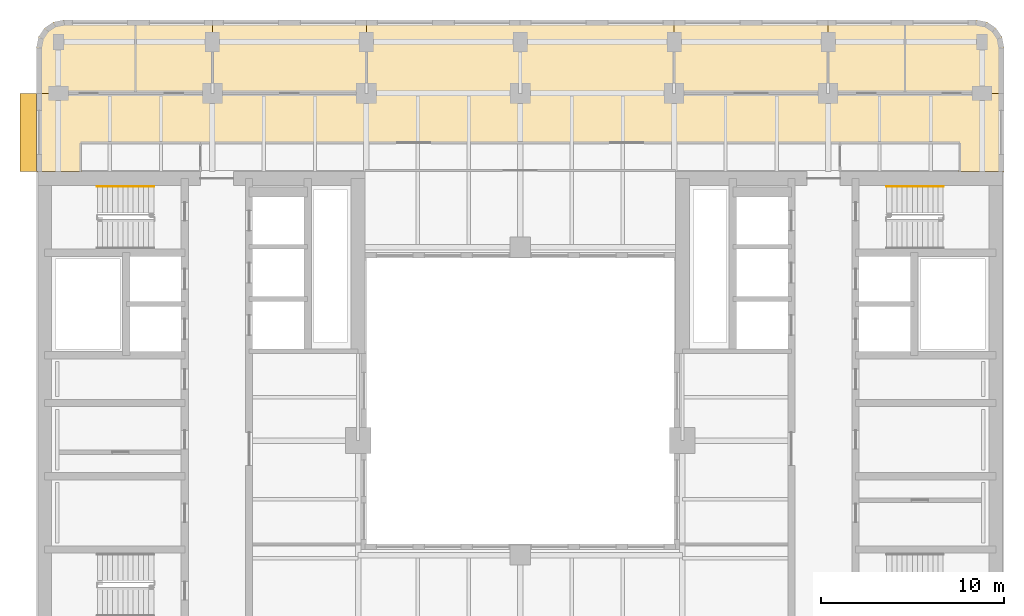
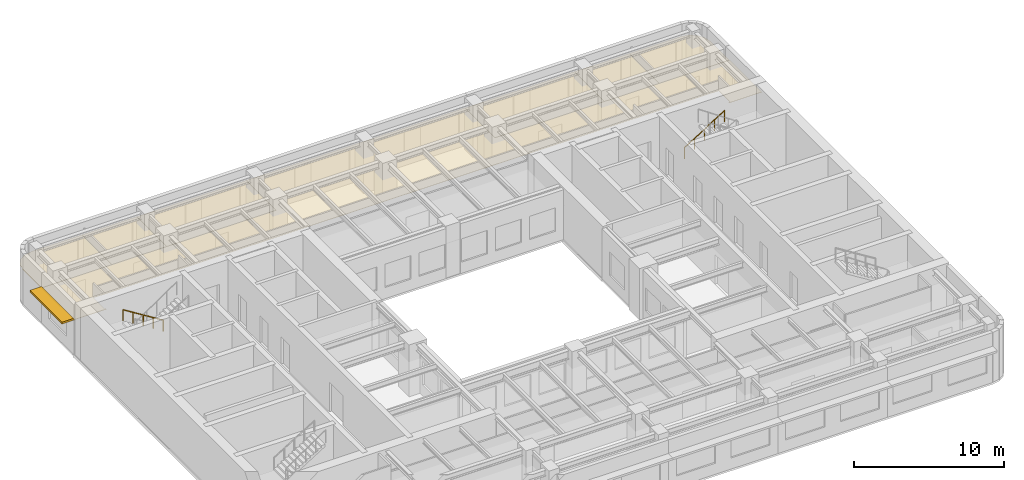
# One storey, part 11 of 11: 7 coverings, 2 railings, 1 shading device.
"""IFC4 building model written with IfcOpenShell, lengths in metres."""

from ifc_helpers import new_model, si_unit, direction, frame, origin, origin_2d, place, context, subcontext, project, spatial, polyline, rectangle, circle, outline, extrude, material, layer, layer_set, type_object, element, save


model = new_model("IFC4")

# Units and contexts
model_context = context("Model", 3, precision=1e-05, world=origin(), true_north=direction((0.0, 1.0)))
body_context = subcontext(model_context, "Body", "Model", "MODEL_VIEW")
ifc_project = project(units=[si_unit("LENGTHUNIT", "METRE"), si_unit("AREAUNIT", "SQUARE_METRE"), si_unit("VOLUMEUNIT", "CUBIC_METRE"), si_unit("PLANEANGLEUNIT", "RADIAN"), si_unit("MASSUNIT", "GRAM", prefix="KILO")], contexts=[model_context])

# Site, building, storey
site_placement = place(None, origin())
site = spatial("IfcSite", under=ifc_project, at=site_placement, CompositionType="ELEMENT")
building_placement = place(site_placement, origin())
building = spatial("IfcBuilding", under=site, at=building_placement, Name="Claustro Exchange Tower", CompositionType="ELEMENT")
storey_placement = place(building_placement, frame((0.0, 0.0, 181.800048828125)))
storey = spatial("IfcBuildingStorey", under=building, at=storey_placement, Name="L41", CompositionType="ELEMENT", Elevation=181.800048828125)

# Coverings
ifc_material_1 = material(Name="Perforated metal ceiling tiles", Category="steel")
ifc_layer_1 = layer(ifc_material_1, 0.030029296875)
ifc_layer_set_1 = layer_set([ifc_layer_1], Name="Perforated metal ceiling tiles")
covering_type_1 = type_object("IfcCoveringType", Name="CL1 suspended metal ceiling", PredefinedType="CEILING", material=ifc_layer_set_1)
covering_1_placement = place(storey_placement, frame((0.0, 0.0, 2.800048828125)))
element("IfcCovering", 1, at=covering_1_placement, inside=storey, type_object=covering_type_1, Name="Ceiling CL1 L41-17", PredefinedType="CEILING", context=body_context, shape_type="SweptSolid", body=[
    extrude(outline(polyline([(-1.125, 37.72509765625), (1.294921875, 37.72509765625), (1.294921875, 37.800048828125), (1.199951171875, 37.800048828125), (1.199951171875, 39.300048828125), (49.199951171875, 39.300048828125), (49.199951171875, 37.800048828125), (49.10498046875, 37.800048828125), (49.10498046875, 37.72509765625), (51.52490234375, 37.72509765625), (51.52490234375, 37.705078125), (51.60009765625, 37.705078125), (51.60009765625, 42.0), (33.60009765625, 42.0), (33.60009765625, 46.0), (16.800048828125, 46.0), (16.800048828125, 42.0), (-1.199951171875, 42.0), (-1.199951171875, 37.705078125), (-1.125, 37.705078125), (-1.125, 37.72509765625)])), origin(), (0.0, 0.0, 1.0), 0.02978515625),
])
ifc_material_2 = material(Name="Gypsum board ceiling", Category="gypsum board")
ifc_layer_2 = layer(ifc_material_2, 0.02490234375)
ifc_layer_set_2 = layer_set([ifc_layer_2], Name="Gypsum board ceiling")
covering_type_2 = type_object("IfcCoveringType", Name="CL2 plasterboard ceiling", PredefinedType="CEILING", material=ifc_layer_set_2)
covering_2_placement = place(storey_placement, frame((0.0, 0.0, 2.800048828125)))
element("IfcCovering", 2, at=covering_2_placement, inside=storey, type_object=covering_type_2, Name="Ceiling CL2 L41-18", PredefinedType="CEILING", context=body_context, shape_type="SweptSolid", body=[
    extrude(outline(polyline([(-1.199951171875, 44.5), (-1.199951171875, 42.0), (4.199951171875, 42.0), (4.199951171875, 46.0), (0.300048828125, 46.0), (-0.27392578125, 45.8857421875), (-0.7607421875, 45.560791015625), (-1.085693359375, 45.073974609375), (-1.199951171875, 44.5)])), origin(), (0.0, 0.0, 1.0), 0.02490234375),
])
covering_3_placement = place(storey_placement, frame((0.0, 0.0, 2.800048828125)))
element("IfcCovering", 3, at=covering_3_placement, inside=storey, type_object=covering_type_2, Name="Ceiling CL2 L41-19", PredefinedType="CEILING", context=body_context, shape_type="SweptSolid", body=[
    extrude(outline(polyline([(8.39990234375, 46.0), (4.199951171875, 46.0), (4.199951171875, 42.0), (8.39990234375, 42.0), (8.39990234375, 46.0)])), origin(), (0.0, 0.0, 1.0), 0.02490234375),
])
covering_4_placement = place(storey_placement, frame((0.0, 0.0, 2.800048828125)))
element("IfcCovering", 4, at=covering_4_placement, inside=storey, type_object=covering_type_2, Name="Ceiling CL2 L41-20", PredefinedType="CEILING", context=body_context, shape_type="SweptSolid", body=[
    extrude(outline(polyline([(16.800048828125, 46.0), (8.39990234375, 46.0), (8.39990234375, 42.0), (16.800048828125, 42.0), (16.800048828125, 46.0)])), origin(), (0.0, 0.0, 1.0), 0.02490234375),
])
covering_5_placement = place(storey_placement, frame((0.0, 0.0, 2.800048828125)))
element("IfcCovering", 5, at=covering_5_placement, inside=storey, type_object=covering_type_2, Name="Ceiling CL2 L41-21", PredefinedType="CEILING", context=body_context, shape_type="SweptSolid", body=[
    extrude(outline(polyline([(42.0, 46.0), (33.60009765625, 46.0), (33.60009765625, 42.0), (42.0, 42.0), (42.0, 46.0)])), origin(), (0.0, 0.0, 1.0), 0.02490234375),
])
covering_6_placement = place(storey_placement, frame((0.0, 0.0, 2.800048828125)))
element("IfcCovering", 6, at=covering_6_placement, inside=storey, type_object=covering_type_2, Name="Ceiling CL2 L41-22", PredefinedType="CEILING", context=body_context, shape_type="SweptSolid", body=[
    extrude(outline(polyline([(46.199951171875, 46.0), (42.0, 46.0), (42.0, 42.0), (46.199951171875, 42.0), (46.199951171875, 46.0)])), origin(), (0.0, 0.0, 1.0), 0.02490234375),
])
covering_7_placement = place(storey_placement, frame((0.0, 0.0, 2.800048828125)))
element("IfcCovering", 7, at=covering_7_placement, inside=storey, type_object=covering_type_2, Name="Ceiling CL2 L41-23", PredefinedType="CEILING", context=body_context, shape_type="SweptSolid", body=[
    extrude(outline(polyline([(50.10009765625, 46.0), (46.199951171875, 46.0), (46.199951171875, 42.0), (51.60009765625, 42.0), (51.60009765625, 44.5), (51.48583984375, 45.073974609375), (51.16064453125, 45.560791015625), (50.674072265625, 45.8857421875), (50.10009765625, 46.0)])), origin(), (0.0, 0.0, 1.0), 0.02490234375),
])

# Railings
ifc_material_3 = material(Name="Stainless steel tube", Category="steel")
railing_type = type_object("IfcRailingType", Name="HR1 900 stair handrail", PredefinedType="HANDRAIL", material=ifc_material_3)
railing_1_placement = place(storey_placement, frame((5.199951171875, 36.9150390625, 0.175048828125)))
element("IfcRailing", 8, at=railing_1_placement, inside=storey, type_object=railing_type, Name="Handrail HR1 stair STWB L41", PredefinedType="HANDRAIL", context=body_context, shape_type="SweptSolid", body=[
    extrude(circle(Radius=0.02392578125, at=origin_2d()), frame((0.0, 0.0, 0.8759765625), z_axis=(-0.848009633417, 0.0, 0.529980812513), x_axis=(0.0, -1.0, 0.0)), (0.0, 0.0, 1.0), 3.6318359375),
    extrude(circle(Radius=0.02099609375, at=origin_2d()), origin(), (0.0, 0.0, 1.0), 0.851806640625),
    extrude(circle(Radius=0.02099609375, at=origin_2d()), frame((-0.77001953125, 0.0, 0.481201171875)), (0.0, 0.0, 1.0), 0.851806640625),
    extrude(circle(Radius=0.02099609375, at=origin_2d()), frame((-1.5400390625, 0.0, 0.96240234375)), (0.0, 0.0, 1.0), 0.851806640625),
    extrude(circle(Radius=0.02099609375, at=origin_2d()), frame((-2.309814453125, 0.0, 1.443603515625)), (0.0, 0.0, 1.0), 0.851806640625),
    extrude(circle(Radius=0.02099609375, at=origin_2d()), frame((-3.079833984375, 0.0, 1.9248046875)), (0.0, 0.0, 1.0), 0.851806640625),
])
railing_2_placement = place(storey_placement, frame((45.199951171875, 36.9150390625, 0.175048828125)))
element("IfcRailing", 9, at=railing_2_placement, inside=storey, type_object=railing_type, Name="Handrail HR1 stair STEB L41", PredefinedType="HANDRAIL", context=body_context, shape_type="SweptSolid", body=[
    extrude(circle(Radius=0.02392578125, at=origin_2d()), frame((0.0, 0.0, 0.8759765625), z_axis=(0.848028513186, 0.0, 0.529950602248), x_axis=(0.0, 1.0, 0.0)), (0.0, 0.0, 1.0), 3.632080078125),
    extrude(circle(Radius=0.02099609375, at=origin_2d()), origin(), (0.0, 0.0, 1.0), 0.851806640625),
    extrude(circle(Radius=0.02099609375, at=origin_2d()), frame((0.77001953125, 0.0, 0.481201171875)), (0.0, 0.0, 1.0), 0.851806640625),
    extrude(circle(Radius=0.02099609375, at=origin_2d()), frame((1.5400390625, 0.0, 0.96240234375)), (0.0, 0.0, 1.0), 0.851806640625),
    extrude(circle(Radius=0.02099609375, at=origin_2d()), frame((2.31005859375, 0.0, 1.443603515625)), (0.0, 0.0, 1.0), 0.851806640625),
    extrude(circle(Radius=0.02099609375, at=origin_2d()), frame((3.080078125, 0.0, 1.9248046875)), (0.0, 0.0, 1.0), 0.851806640625),
])

# Shading device
ifc_material_4 = material(Name="Concrete HA-40 (C40/50), precast, white cement, acid-etched", Category="concrete")
ifc_layer_3 = layer(ifc_material_4, 0.14990234375)
ifc_layer_set_3 = layer_set([ifc_layer_3], Name="Concrete HA-40 (C40/50), precast, white cement, acid-etched")
shading_device_type = type_object("IfcShadingDeviceType", Name="SS2 900 precast concrete SUNSHADE", PredefinedType="SHUTTER", material=ifc_layer_set_3)
shading_device_placement = place(storey_placement, frame((-1.64990234375, 39.862548828125, 2.800048828125), z_axis=(0.0, 0.0, 1.0), x_axis=(0.0, 1.0, 0.0)))
element("IfcShadingDevice", 10, at=shading_device_placement, inside=storey, type_object=shading_device_type, Name="Precast SUNSHADE SS2 L41", PredefinedType="SHUTTER", context=body_context, shape_type="SweptSolid", body=[
    extrude(rectangle(XDim=4.27490234375, YDim=0.89990234375, at=origin_2d()), origin(), (0.0, 0.0, 1.0), 0.14990234375),
])

save(model, "model.ifc")
